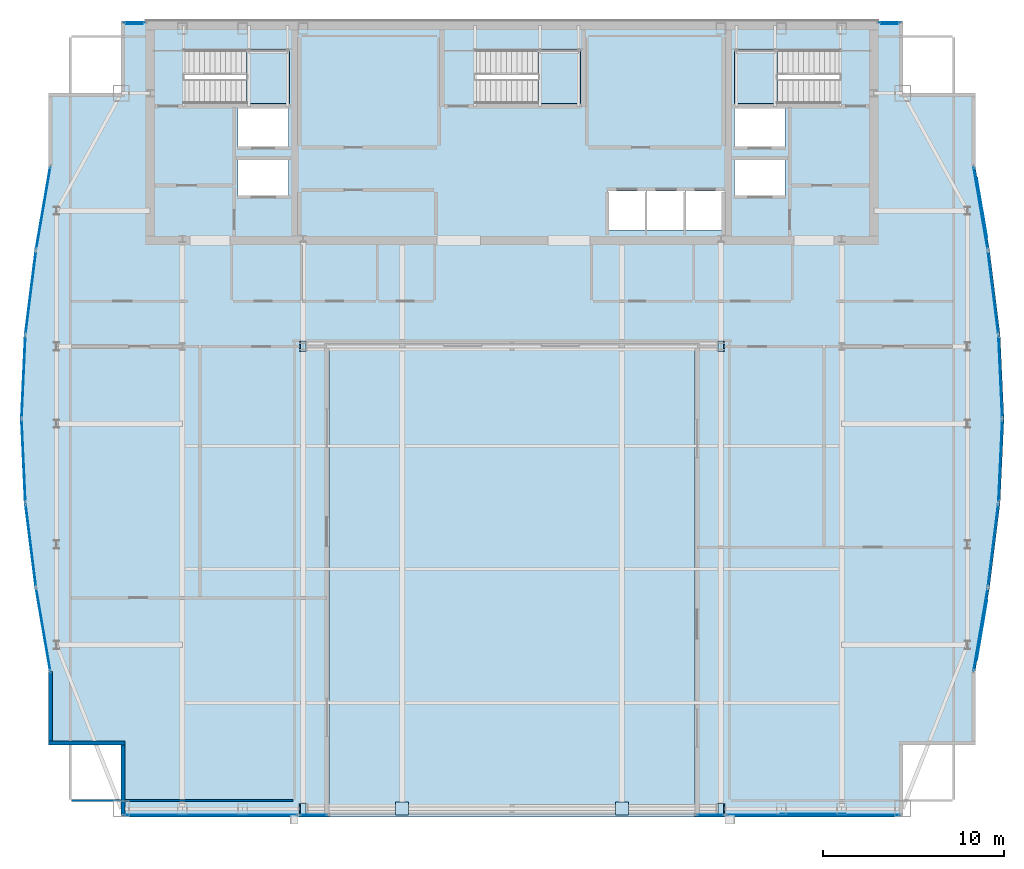
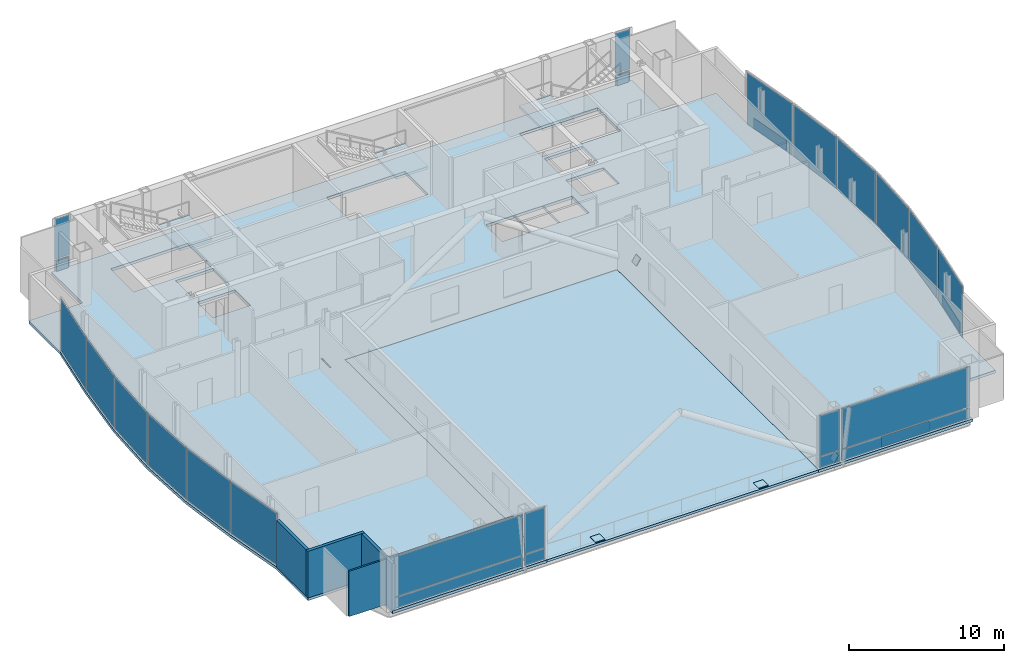
# One storey, part 21 of 27: 35 plates, 5 slabs, 4 walls, 21 elements without a shape of their own.
"""IFC4 building model written with IfcOpenShell, lengths in metres."""

from ifc_helpers import new_model, si_unit, direction, frame, frame_2d, origin, origin_2d, place, context, subcontext, project, spatial, polyline, rectangle, outline, extrude, material, layer, layer_set, type_object, element, aggregate, save


model = new_model("IFC4")

# Units and contexts
model_context = context("Model", 3, precision=1e-05, world=origin(), true_north=direction((0.0, 1.0)))
body_context = subcontext(model_context, "Body", "Model", "MODEL_VIEW")
ifc_project = project(units=[si_unit("LENGTHUNIT", "METRE"), si_unit("AREAUNIT", "SQUARE_METRE"), si_unit("VOLUMEUNIT", "CUBIC_METRE"), si_unit("PLANEANGLEUNIT", "RADIAN"), si_unit("MASSUNIT", "GRAM", prefix="KILO")], contexts=[model_context])

# Site, building, storey
site_placement = place(None, origin())
site = spatial("IfcSite", under=ifc_project, at=site_placement, CompositionType="ELEMENT")
building_placement = place(site_placement, origin())
building = spatial("IfcBuilding", under=site, at=building_placement, Name="Khoronbel Lancet Exchange", CompositionType="ELEMENT")
storey_placement = place(building_placement, frame((0.0, 0.0, 305.800048828125)))
storey = spatial("IfcBuildingStorey", under=building, at=storey_placement, Name="L79", CompositionType="ELEMENT", Elevation=305.800048828125)

# Curtain wall, plate
ifc_material_1 = material(Name="Low-E Solar Control Insulating Glass", Category="glass")
curtain_wall_type_1 = type_object("IfcCurtainWallType", Name="CW-4", PredefinedType="NOTDEFINED", material=ifc_material_1)
curtain_wall_1_placement = place(storey_placement, origin())
curtain_wall_1 = element("IfcCurtainWall", 1, at=curtain_wall_1_placement, inside=storey, type_object=curtain_wall_type_1, Name="Unitised curtain wall CW-L79-E05", PredefinedType="NOTDEFINED")
ifc_material_2 = material(Name="Bronze-Anodised Aluminium 6063-T6", Category="aluminium")
ifc_layer_1 = layer(ifc_material_2, 0.050048828125, Name="Bronze-Anodised Aluminium 6063-T6")
ifc_layer_set_1 = layer_set([ifc_layer_1], Name="Bronze-Anodised Aluminium 6063-T6")
plate_type_1 = type_object("IfcPlateType", Name="PLT-CSP1", PredefinedType="SHEET", material=ifc_layer_set_1)
plate_1_placement = place(storey_placement, frame((9.846435546875, 24.71044921875, 0.0849609375), z_axis=(0.0, 0.0, 1.0), x_axis=(-0.124508934127, 0.992218486687, 0.0)))
plate_1 = element("IfcPlate", 2, at=plate_1_placement, type_object=plate_type_1, Name="CW4 panel 1.1", PredefinedType="CURTAIN_PANEL", context=body_context, shape_type="SweptSolid", body=[
    extrude(rectangle(XDim=4.547607421875, YDim=0.0380859375, at=origin_2d()), origin(), (0.0, 0.0, 1.0), 4.070068359375),
])
aggregate(curtain_wall_1, [plate_1])

curtain_wall_2_placement = place(storey_placement, origin())
curtain_wall_2 = element("IfcCurtainWall", 3, at=curtain_wall_2_placement, inside=storey, type_object=curtain_wall_type_1, Name="Unitised curtain wall CW-L79-E06", PredefinedType="NOTDEFINED")
plate_2_placement = place(storey_placement, frame((9.447021484375, 29.37060546875, 0.0849609375), z_axis=(0.0, 0.0, 1.0), x_axis=(-0.045884225704, 0.998946764263, 0.0)))
plate_2 = element("IfcPlate", 4, at=plate_2_placement, type_object=plate_type_1, Name="CW4 panel 1.1", PredefinedType="CURTAIN_PANEL", context=body_context, shape_type="SweptSolid", body=[
    extrude(rectangle(XDim=4.513916015625, YDim=0.0380859375, at=origin_2d()), origin(), (0.0, 0.0, 1.0), 4.070068359375),
])
aggregate(curtain_wall_2, [plate_2])

curtain_wall_3_placement = place(storey_placement, origin())
curtain_wall_3 = element("IfcCurtainWall", 5, at=curtain_wall_3_placement, inside=storey, type_object=curtain_wall_type_1, Name="Unitised curtain wall CW-L79-E07", PredefinedType="NOTDEFINED")
plate_3_placement = place(storey_placement, frame((9.447021484375, 34.029541015625, 0.0849609375), z_axis=(0.0, 0.0, 1.0), x_axis=(0.045884225704, 0.998946764263, 0.0)))
plate_3 = element("IfcPlate", 6, at=plate_3_placement, type_object=plate_type_1, Name="CW4 panel 1.1", PredefinedType="CURTAIN_PANEL", context=body_context, shape_type="SweptSolid", body=[
    extrude(rectangle(XDim=4.513916015625, YDim=0.0380859375, at=origin_2d()), origin(), (0.0, 0.0, 1.0), 4.070068359375),
])
aggregate(curtain_wall_3, [plate_3])

curtain_wall_4_placement = place(storey_placement, origin())
curtain_wall_4 = element("IfcCurtainWall", 7, at=curtain_wall_4_placement, inside=storey, type_object=curtain_wall_type_1, Name="Unitised curtain wall CW-L79-E08", PredefinedType="NOTDEFINED")
plate_4_placement = place(storey_placement, frame((9.846435546875, 38.689453125, 0.0849609375), z_axis=(0.0, 0.0, 1.0), x_axis=(0.124508934127, 0.992218486687, 0.0)))
plate_4 = element("IfcPlate", 8, at=plate_4_placement, type_object=plate_type_1, Name="CW4 panel 1.1", PredefinedType="CURTAIN_PANEL", context=body_context, shape_type="SweptSolid", body=[
    extrude(rectangle(XDim=4.547607421875, YDim=0.0380859375, at=origin_2d()), origin(), (0.0, 0.0, 1.0), 4.070068359375),
])
aggregate(curtain_wall_4, [plate_4])

curtain_wall_type_2 = type_object("IfcCurtainWallType", Name="CW-3", PredefinedType="NOTDEFINED", material=ifc_material_1)
curtain_wall_5_placement = place(storey_placement, origin())
curtain_wall_5 = element("IfcCurtainWall", 9, at=curtain_wall_5_placement, inside=storey, type_object=curtain_wall_type_2, Name="Unitised curtain wall CW-L79-NWFLK", PredefinedType="NOTDEFINED")
plate_5_placement = place(storey_placement, frame((15.580078125, 53.550048828125, 0.0498046875), z_axis=(0.0, 0.0, 1.0), x_axis=(-1.0, 0.0, 0.0)))
plate_5 = element("IfcPlate", 10, at=plate_5_placement, type_object=plate_type_1, Name="Insulated bronze spandrel cassette CW-L79-NWFLK", PredefinedType="SHEET", context=body_context, shape_type="SweptSolid", body=[
    extrude(rectangle(XDim=0.89599609375, YDim=0.050048828125, at=origin_2d()), origin(), (0.0, 0.0, 1.0), 0.800048828125),
])

curtain_wall_6_placement = place(storey_placement, origin())
curtain_wall_6 = element("IfcCurtainWall", 11, at=curtain_wall_6_placement, inside=storey, type_object=curtain_wall_type_2, Name="Unitised curtain wall CW-L79-NEFLK", PredefinedType="NOTDEFINED")
plate_6_placement = place(storey_placement, frame((57.320068359375, 53.550048828125, 0.0498046875), z_axis=(0.0, 0.0, 1.0), x_axis=(-1.0, 0.0, 0.0)))
plate_6 = element("IfcPlate", 12, at=plate_6_placement, type_object=plate_type_1, Name="Insulated bronze spandrel cassette CW-L79-NEFLK", PredefinedType="SHEET", context=body_context, shape_type="SweptSolid", body=[
    extrude(rectangle(XDim=0.89599609375, YDim=0.050048828125, at=origin_2d()), origin(), (0.0, 0.0, 1.0), 0.800048828125),
])

curtain_wall_7_placement = place(storey_placement, origin())
curtain_wall_7 = element("IfcCurtainWall", 13, at=curtain_wall_7_placement, inside=storey, type_object=curtain_wall_type_1, Name="Unitised curtain wall CW-L79-E17", PredefinedType="NOTDEFINED")
plate_7_placement = place(storey_placement, frame((62.419677734375, 43.3662109375, 0.0498046875), z_axis=(0.0, 0.0, 1.0), x_axis=(0.168974354443, -0.985620448013, 0.0)))
plate_7 = element("IfcPlate", 14, at=plate_7_placement, type_object=plate_type_1, Name="Insulated bronze spandrel cassette CW-L79-E17", PredefinedType="SHEET", context=body_context, shape_type="SweptSolid", body=[
    extrude(rectangle(XDim=3.318359375, YDim=0.050048828125, at=origin_2d()), origin(), (0.0, 0.0, 1.0), 0.800048828125),
])

curtain_wall_8_placement = place(storey_placement, origin())
curtain_wall_8 = element("IfcCurtainWall", 15, at=curtain_wall_8_placement, inside=storey, type_object=curtain_wall_type_1, Name="Unitised curtain wall CW-L79-E18", PredefinedType="NOTDEFINED")
plate_8_placement = place(storey_placement, frame((63.053466796875, 38.689453125, 0.0849609375), z_axis=(0.0, 0.0, 1.0), x_axis=(0.124508934127, -0.992218486687, 0.0)))
plate_8 = element("IfcPlate", 16, at=plate_8_placement, type_object=plate_type_1, Name="CW4 panel 1.1", PredefinedType="CURTAIN_PANEL", context=body_context, shape_type="SweptSolid", body=[
    extrude(rectangle(XDim=4.547607421875, YDim=0.0380859375, at=origin_2d()), origin(), (0.0, 0.0, 1.0), 4.070068359375),
])
aggregate(curtain_wall_8, [plate_8])

curtain_wall_9_placement = place(storey_placement, origin())
curtain_wall_9 = element("IfcCurtainWall", 17, at=curtain_wall_9_placement, inside=storey, type_object=curtain_wall_type_1, Name="Unitised curtain wall CW-L79-E19", PredefinedType="NOTDEFINED")
plate_9_placement = place(storey_placement, frame((63.452880859375, 34.029541015625, 0.0849609375), z_axis=(0.0, 0.0, 1.0), x_axis=(0.045884225704, -0.998946764263, 0.0)))
plate_9 = element("IfcPlate", 18, at=plate_9_placement, type_object=plate_type_1, Name="CW4 panel 1.1", PredefinedType="CURTAIN_PANEL", context=body_context, shape_type="SweptSolid", body=[
    extrude(rectangle(XDim=4.513916015625, YDim=0.0380859375, at=origin_2d()), origin(), (0.0, 0.0, 1.0), 4.070068359375),
])
aggregate(curtain_wall_9, [plate_9])

curtain_wall_10_placement = place(storey_placement, origin())
curtain_wall_10 = element("IfcCurtainWall", 19, at=curtain_wall_10_placement, inside=storey, type_object=curtain_wall_type_1, Name="Unitised curtain wall CW-L79-E20", PredefinedType="NOTDEFINED")
plate_10_placement = place(storey_placement, frame((63.452880859375, 29.37060546875, 0.0849609375), z_axis=(0.0, 0.0, 1.0), x_axis=(-0.045884225704, -0.998946764263, 0.0)))
plate_10 = element("IfcPlate", 20, at=plate_10_placement, type_object=plate_type_1, Name="CW4 panel 1.1", PredefinedType="CURTAIN_PANEL", context=body_context, shape_type="SweptSolid", body=[
    extrude(rectangle(XDim=4.513916015625, YDim=0.0380859375, at=origin_2d()), origin(), (0.0, 0.0, 1.0), 4.070068359375),
])
aggregate(curtain_wall_10, [plate_10])

curtain_wall_11_placement = place(storey_placement, origin())
curtain_wall_11 = element("IfcCurtainWall", 21, at=curtain_wall_11_placement, inside=storey, type_object=curtain_wall_type_1, Name="Unitised curtain wall CW-L79-E21", PredefinedType="NOTDEFINED")
plate_11_placement = place(storey_placement, frame((63.053466796875, 24.71044921875, 0.0849609375), z_axis=(0.0, 0.0, 1.0), x_axis=(-0.124508934127, -0.992218486687, 0.0)))
plate_11 = element("IfcPlate", 22, at=plate_11_placement, type_object=plate_type_1, Name="CW4 panel 1.1", PredefinedType="CURTAIN_PANEL", context=body_context, shape_type="SweptSolid", body=[
    extrude(rectangle(XDim=4.547607421875, YDim=0.0380859375, at=origin_2d()), origin(), (0.0, 0.0, 1.0), 4.070068359375),
])
aggregate(curtain_wall_11, [plate_11])

curtain_wall_12_placement = place(storey_placement, origin())
curtain_wall_12 = element("IfcCurtainWall", 23, at=curtain_wall_12_placement, inside=storey, type_object=curtain_wall_type_1, Name="Unitised curtain wall CW-L79-E22", PredefinedType="NOTDEFINED")
plate_12_placement = place(storey_placement, frame((62.419677734375, 20.03369140625, 0.0498046875), z_axis=(0.0, 0.0, 1.0), x_axis=(-0.168974354443, -0.985620448013, 0.0)))
plate_12 = element("IfcPlate", 24, at=plate_12_placement, type_object=plate_type_1, Name="Insulated bronze spandrel cassette CW-L79-E22", PredefinedType="SHEET", context=body_context, shape_type="SweptSolid", body=[
    extrude(rectangle(XDim=3.318359375, YDim=0.050048828125, at=origin_2d()), origin(), (0.0, 0.0, 1.0), 0.800048828125),
])

# Curtain wall, plates
curtain_wall_13_placement = place(storey_placement, origin())
curtain_wall_13 = element("IfcCurtainWall", 25, at=curtain_wall_13_placement, inside=storey, type_object=curtain_wall_type_2, Name="Unitised curtain wall CW-L79-SW-PIER", PredefinedType="NOTDEFINED")
plate_13_placement = place(storey_placement, frame((25.487548828125, 9.7900390625, 0.0849609375), z_axis=(0.0, 0.0, 1.0), x_axis=(1.0, 0.0, 0.0)))
plate_13 = element("IfcPlate", 26, at=plate_13_placement, type_object=plate_type_1, Name="CW3 panel 1.1", PredefinedType="CURTAIN_PANEL", context=body_context, shape_type="SweptSolid", body=[
    extrude(rectangle(XDim=1.5048828125, YDim=0.0380859375, at=origin_2d()), origin(), (0.0, 0.0, 1.0), 0.822509765625),
])
plate_14_placement = place(storey_placement, frame((25.487548828125, 9.7900390625, 0.992431640625), z_axis=(0.0, 0.0, 1.0), x_axis=(1.0, 0.0, 0.0)))
plate_14 = element("IfcPlate", 27, at=plate_14_placement, type_object=plate_type_1, Name="CW3 panel 1.2", PredefinedType="CURTAIN_PANEL", context=body_context, shape_type="SweptSolid", body=[
    extrude(rectangle(XDim=1.5048828125, YDim=0.0380859375, at=origin_2d()), origin(), (0.0, 0.0, 1.0), 3.16259765625),
])
aggregate(curtain_wall_13, [plate_13, plate_14])

curtain_wall_14_placement = place(storey_placement, origin())
curtain_wall_14 = element("IfcCurtainWall", 28, at=curtain_wall_14_placement, inside=storey, type_object=curtain_wall_type_2, Name="Unitised curtain wall CW-L79-SE-PIER", PredefinedType="NOTDEFINED")
plate_15_placement = place(storey_placement, frame((47.41259765625, 9.7900390625, 0.0849609375), z_axis=(0.0, 0.0, 1.0), x_axis=(1.0, 0.0, 0.0)))
plate_15 = element("IfcPlate", 29, at=plate_15_placement, type_object=plate_type_1, Name="CW3 panel 1.1", PredefinedType="CURTAIN_PANEL", context=body_context, shape_type="SweptSolid", body=[
    extrude(rectangle(XDim=1.5048828125, YDim=0.0380859375, at=origin_2d()), origin(), (0.0, 0.0, 1.0), 0.822509765625),
])
plate_16_placement = place(storey_placement, frame((47.41259765625, 9.7900390625, 0.992431640625), z_axis=(0.0, 0.0, 1.0), x_axis=(1.0, 0.0, 0.0)))
plate_16 = element("IfcPlate", 30, at=plate_16_placement, type_object=plate_type_1, Name="CW3 panel 1.2", PredefinedType="CURTAIN_PANEL", context=body_context, shape_type="SweptSolid", body=[
    extrude(rectangle(XDim=1.5048828125, YDim=0.0380859375, at=origin_2d()), origin(), (0.0, 0.0, 1.0), 3.16259765625),
])
aggregate(curtain_wall_14, [plate_15, plate_16])

# Curtain wall, plate
curtain_wall_15_placement = place(storey_placement, origin())
curtain_wall_15 = element("IfcCurtainWall", 31, at=curtain_wall_15_placement, inside=storey, type_object=curtain_wall_type_2, Name="Unitised curtain wall CW-L79-SE-WING", PredefinedType="NOTDEFINED")
plate_17_placement = place(storey_placement, frame((53.10498046875, 9.85009765625, 0.0498046875), z_axis=(0.0, 0.0, 1.0), x_axis=(1.0, 0.0, 0.0)))
plate_17 = element("IfcPlate", 32, at=plate_17_placement, type_object=plate_type_1, Name="Insulated bronze spandrel cassette CW-L79-SE-WING", PredefinedType="SHEET", context=body_context, shape_type="SweptSolid", body=[
    extrude(rectangle(XDim=3.60009765625, YDim=0.050048828125, at=origin_2d()), origin(), (0.0, 0.0, 1.0), 0.800048828125),
])

# Plate
ifc_layer_2 = layer(ifc_material_1, 0.035888671875, Name="Low-E Solar Control Insulating Glass")
ifc_layer_set_2 = layer_set([ifc_layer_2], Name="Low-E Solar Control Insulating Glass")
plate_type_2 = type_object("IfcPlateType", Name="PLT-CWP1", PredefinedType="CURTAIN_PANEL", material=ifc_layer_set_2)
plate_18_placement = place(storey_placement, frame((15.580078125, 53.610107421875, 0.0849609375), z_axis=(0.0, 0.0, 1.0), x_axis=(-1.0, 0.0, 0.0)))
plate_18 = element("IfcPlate", 33, at=plate_18_placement, type_object=plate_type_2, Name="CW3 panel 1.1", PredefinedType="CURTAIN_PANEL", context=body_context, shape_type="SweptSolid", body=[
    extrude(rectangle(XDim=1.110107421875, YDim=0.0380859375, at=origin_2d()), origin(), (0.0, 0.0, 1.0), 0.822509765625),
])

plate_19_placement = place(storey_placement, frame((15.580078125, 53.610107421875, 0.992431640625), z_axis=(0.0, 0.0, 1.0), x_axis=(-1.0, 0.0, 0.0)))
plate_19 = element("IfcPlate", 34, at=plate_19_placement, type_object=plate_type_2, Name="CW3 panel 1.2", PredefinedType="CURTAIN_PANEL", context=body_context, shape_type="SweptSolid", body=[
    extrude(rectangle(XDim=1.110107421875, YDim=0.0380859375, at=origin_2d()), origin(), (0.0, 0.0, 1.0), 3.16259765625),
])

aggregate(curtain_wall_5, [plate_18, plate_19, plate_5])

plate_20_placement = place(storey_placement, frame((57.320068359375, 53.610107421875, 0.0849609375), z_axis=(0.0, 0.0, 1.0), x_axis=(-1.0, 0.0, 0.0)))
plate_20 = element("IfcPlate", 35, at=plate_20_placement, type_object=plate_type_2, Name="CW3 panel 1.1", PredefinedType="CURTAIN_PANEL", context=body_context, shape_type="SweptSolid", body=[
    extrude(rectangle(XDim=1.110107421875, YDim=0.0380859375, at=origin_2d()), origin(), (0.0, 0.0, 1.0), 0.822509765625),
])

plate_21_placement = place(storey_placement, frame((57.320068359375, 53.610107421875, 0.992431640625), z_axis=(0.0, 0.0, 1.0), x_axis=(-1.0, 0.0, 0.0)))
plate_21 = element("IfcPlate", 36, at=plate_21_placement, type_object=plate_type_2, Name="CW3 panel 1.2", PredefinedType="CURTAIN_PANEL", context=body_context, shape_type="SweptSolid", body=[
    extrude(rectangle(XDim=1.110107421875, YDim=0.0380859375, at=origin_2d()), origin(), (0.0, 0.0, 1.0), 3.16259765625),
])

aggregate(curtain_wall_6, [plate_20, plate_21, plate_6])

# Curtain wall, plates
curtain_wall_16_placement = place(storey_placement, origin())
curtain_wall_16 = element("IfcCurtainWall", 37, at=curtain_wall_16_placement, inside=storey, type_object=curtain_wall_type_2, Name="Unitised curtain wall CW-L79-SW-WING", PredefinedType="NOTDEFINED")
plate_22_placement = place(storey_placement, frame((19.794921875, 9.7900390625, 0.0849609375), z_axis=(0.0, 0.0, 1.0), x_axis=(1.0, 0.0, 0.0)))
plate_22 = element("IfcPlate", 38, at=plate_22_placement, type_object=plate_type_2, Name="CW3 panel 1.1", PredefinedType="CURTAIN_PANEL", context=body_context, shape_type="SweptSolid", body=[
    extrude(rectangle(XDim=9.5400390625, YDim=0.0380859375, at=origin_2d()), origin(), (0.0, 0.0, 1.0), 0.822509765625),
])
plate_23_placement = place(storey_placement, frame((19.794921875, 9.7900390625, 0.992431640625), z_axis=(0.0, 0.0, 1.0), x_axis=(1.0, 0.0, 0.0)))
plate_23 = element("IfcPlate", 39, at=plate_23_placement, type_object=plate_type_2, Name="CW3 panel 1.2", PredefinedType="CURTAIN_PANEL", context=body_context, shape_type="SweptSolid", body=[
    extrude(rectangle(XDim=9.5400390625, YDim=0.0380859375, at=origin_2d()), origin(), (0.0, 0.0, 1.0), 3.16259765625),
])
aggregate(curtain_wall_16, [plate_22, plate_23])

# Plate
plate_24_placement = place(storey_placement, frame((53.10498046875, 9.7900390625, 0.0849609375), z_axis=(0.0, 0.0, 1.0), x_axis=(1.0, 0.0, 0.0)))
plate_24 = element("IfcPlate", 40, at=plate_24_placement, type_object=plate_type_2, Name="CW3 panel 1.1", PredefinedType="CURTAIN_PANEL", context=body_context, shape_type="SweptSolid", body=[
    extrude(rectangle(XDim=9.5400390625, YDim=0.0380859375, at=origin_2d()), origin(), (0.0, 0.0, 1.0), 0.822509765625),
])

plate_25_placement = place(storey_placement, frame((53.10498046875, 9.7900390625, 0.992431640625), z_axis=(0.0, 0.0, 1.0), x_axis=(1.0, 0.0, 0.0)))
plate_25 = element("IfcPlate", 41, at=plate_25_placement, type_object=plate_type_2, Name="CW3 panel 1.2", PredefinedType="CURTAIN_PANEL", context=body_context, shape_type="SweptSolid", body=[
    extrude(rectangle(XDim=9.5400390625, YDim=0.0380859375, at=origin_2d()), origin(), (0.0, 0.0, 1.0), 3.16259765625),
])

aggregate(curtain_wall_15, [plate_24, plate_25, plate_17])

# Curtain wall, plate
curtain_wall_17_placement = place(storey_placement, origin())
curtain_wall_17 = element("IfcCurtainWall", 42, at=curtain_wall_17_placement, inside=storey, type_object=curtain_wall_type_1, Name="Unitised curtain wall CW-L79-E04", PredefinedType="NOTDEFINED")
ifc_material_3 = material(Name="Ceramic-Fritted Laminated Insulating Glass", Category="glass")
ifc_layer_3 = layer(ifc_material_3, 0.0419921875, Name="Ceramic-Fritted Laminated Insulating Glass")
ifc_layer_set_3 = layer_set([ifc_layer_3], Name="Ceramic-Fritted Laminated Insulating Glass")
plate_type_3 = type_object("IfcPlateType", Name="PLT-CWP2", PredefinedType="CURTAIN_PANEL", material=ifc_layer_set_3)
plate_26_placement = place(storey_placement, frame((10.53955078125, 20.043701171875, 0.0849609375), z_axis=(0.0, 0.0, 1.0), x_axis=(-0.168974354443, 0.985620448013, 0.0)))
plate_26 = element("IfcPlate", 43, at=plate_26_placement, type_object=plate_type_3, Name="CW4 panel 1.1", PredefinedType="CURTAIN_PANEL", context=body_context, shape_type="SweptSolid", body=[
    extrude(rectangle(XDim=4.59033203125, YDim=0.0380859375, at=origin_2d()), origin(), (0.0, 0.0, 1.0), 4.070068359375),
])
aggregate(curtain_wall_17, [plate_26])

curtain_wall_18_placement = place(storey_placement, origin())
curtain_wall_18 = element("IfcCurtainWall", 44, at=curtain_wall_18_placement, inside=storey, type_object=curtain_wall_type_1, Name="Unitised curtain wall CW-L79-E09", PredefinedType="NOTDEFINED")
plate_27_placement = place(storey_placement, frame((10.53955078125, 43.356201171875, 0.0849609375), z_axis=(0.0, 0.0, 1.0), x_axis=(0.168974354443, 0.985620448013, 0.0)))
plate_27 = element("IfcPlate", 45, at=plate_27_placement, type_object=plate_type_3, Name="CW4 panel 1.1", PredefinedType="CURTAIN_PANEL", context=body_context, shape_type="SweptSolid", body=[
    extrude(rectangle(XDim=4.59033203125, YDim=0.0380859375, at=origin_2d()), origin(), (0.0, 0.0, 1.0), 4.070068359375),
])
aggregate(curtain_wall_18, [plate_27])

# Plate
plate_28_placement = place(storey_placement, frame((62.360595703125, 43.356201171875, 0.0849609375), z_axis=(0.0, 0.0, 1.0), x_axis=(0.168974354443, -0.985620448013, 0.0)))
plate_28 = element("IfcPlate", 46, at=plate_28_placement, type_object=plate_type_3, Name="CW4 panel 1.1", PredefinedType="CURTAIN_PANEL", context=body_context, shape_type="SweptSolid", body=[
    extrude(rectangle(XDim=4.59033203125, YDim=0.0380859375, at=origin_2d()), origin(), (0.0, 0.0, 1.0), 4.070068359375),
])

aggregate(curtain_wall_7, [plate_28, plate_7])

plate_29_placement = place(storey_placement, frame((62.360595703125, 20.043701171875, 0.0849609375), z_axis=(0.0, 0.0, 1.0), x_axis=(-0.168974354443, -0.985620448013, 0.0)))
plate_29 = element("IfcPlate", 47, at=plate_29_placement, type_object=plate_type_3, Name="CW4 panel 1.1", PredefinedType="CURTAIN_PANEL", context=body_context, shape_type="SweptSolid", body=[
    extrude(rectangle(XDim=4.59033203125, YDim=0.0380859375, at=origin_2d()), origin(), (0.0, 0.0, 1.0), 4.070068359375),
])

aggregate(curtain_wall_12, [plate_29, plate_12])

# Plates
ifc_material_4 = material(Name="Steel S460", Category="steel")
ifc_layer_4 = layer(ifc_material_4, 0.044921875, Name="Steel S460")
ifc_layer_set_4 = layer_set([ifc_layer_4], Name="Steel S460")
plate_type_4 = type_object("IfcPlateType", Name="PLT-ECP1", PredefinedType="USERDEFINED", material=ifc_layer_set_4)
plate_30_placement = place(storey_placement, frame((0.0, 0.0, -0.011962890625)))
element("IfcPlate", 48, at=plate_30_placement, inside=storey, type_object=plate_type_4, Name="Hollow end cap plate PLT-CAP-COL-L78-SC-C1-TOP", ObjectType="STIFFENER_PLATE", PredefinedType="USERDEFINED", context=body_context, shape_type="SweptSolid", body=[
    extrude(outline(polyline([(30.02001953125, 9.794921875), (30.72998046875, 9.794921875), (30.72998046875, 10.5048828125), (30.02001953125, 10.5048828125), (30.02001953125, 9.794921875)])), origin(), (0.0, 0.0, 1.0), 0.044921875),
])
plate_31_placement = place(storey_placement, frame((0.0, 0.0, -0.011962890625)))
element("IfcPlate", 49, at=plate_31_placement, inside=storey, type_object=plate_type_4, Name="Hollow end cap plate PLT-CAP-COL-L78-SC-C2-TOP", ObjectType="STIFFENER_PLATE", PredefinedType="USERDEFINED", context=body_context, shape_type="SweptSolid", body=[
    extrude(outline(polyline([(42.169921875, 9.794921875), (42.8798828125, 9.794921875), (42.8798828125, 10.5048828125), (42.169921875, 10.5048828125), (42.169921875, 9.794921875)])), origin(), (0.0, 0.0, 1.0), 0.044921875),
])
plate_32_placement = place(storey_placement, frame((25.0693359375, 9.860107421875, 0.01416015625), z_axis=(0.835595064207, 0.0, 0.549345873446), x_axis=(0.0, 1.0, 0.0)))
element("IfcPlate", 50, at=plate_32_placement, inside=storey, type_object=plate_type_4, Name="Hollow end cap plate PLT-CAP-MEM-L79-PORTAL-STR-S-W-0", ObjectType="STIFFENER_PLATE", PredefinedType="USERDEFINED", context=body_context, shape_type="SweptSolid", body=[
    extrude(outline(polyline([(0.0, 0.0), (0.579833984375, 0.0), (0.579833984375, 0.580078125), (0.0, 0.580078125), (0.0, 0.0)])), origin(), (0.0, 0.0, -1.0), 0.044921875),
])
plate_33_placement = place(storey_placement, frame((47.830810546875, 10.43994140625, 0.01416015625), z_axis=(-0.835788288301, 0.0, 0.549051852869), x_axis=(0.0, -1.0, 0.0)))
element("IfcPlate", 51, at=plate_33_placement, inside=storey, type_object=plate_type_4, Name="Hollow end cap plate PLT-CAP-MEM-L79-PORTAL-STR-S-E-0", ObjectType="STIFFENER_PLATE", PredefinedType="USERDEFINED", context=body_context, shape_type="SweptSolid", body=[
    extrude(outline(polyline([(0.0, 0.0), (0.579833984375, 0.0), (0.579833984375, 0.579833984375), (0.0, 0.579833984375), (0.0, 0.0)])), origin(), (0.0, 0.0, -1.0), 0.044921875),
])
plate_34_placement = place(storey_placement, frame((25.0693359375, 35.409912109375, 0.01416015625), z_axis=(0.835595064207, 0.0, 0.549345873446), x_axis=(0.0, 1.0, 0.0)))
element("IfcPlate", 52, at=plate_34_placement, inside=storey, type_object=plate_type_4, Name="Hollow end cap plate PLT-CAP-MEM-L79-PORTAL-STR-N-W-0", ObjectType="STIFFENER_PLATE", PredefinedType="USERDEFINED", context=body_context, shape_type="SweptSolid", body=[
    extrude(outline(polyline([(0.0, 0.0), (0.580078125, 0.0), (0.580078125, 0.580078125), (0.0, 0.580078125), (0.0, 0.0)])), origin(), (0.0, 0.0, -1.0), 0.044921875),
])
plate_35_placement = place(storey_placement, frame((47.830810546875, 35.989990234375, 0.01416015625), z_axis=(-0.835788288301, 0.0, 0.549051852869), x_axis=(0.0, -1.0, 0.0)))
element("IfcPlate", 53, at=plate_35_placement, inside=storey, type_object=plate_type_4, Name="Hollow end cap plate PLT-CAP-MEM-L79-PORTAL-STR-N-E-0", ObjectType="STIFFENER_PLATE", PredefinedType="USERDEFINED", context=body_context, shape_type="SweptSolid", body=[
    extrude(outline(polyline([(0.0, 0.0), (0.580078125, 0.0), (0.580078125, 0.579833984375), (0.0, 0.579833984375), (0.0, 0.0)])), origin(), (0.0, 0.0, -1.0), 0.044921875),
])

# Slab
ifc_material_5 = material(Name="Concrete C40/50", Category="concrete")
ifc_layer_5 = layer(ifc_material_5, 0.219970703125, Name="Concrete C40/50")
ifc_layer_set_5 = layer_set([ifc_layer_5], Name="Concrete C40/50")
slab_type_1 = type_object("IfcSlabType", Name="SL-FL220", PredefinedType="FLOOR", material=ifc_layer_set_5)
slab_1_placement = place(storey_placement, frame((0.0, 0.0, -0.219970703125)))
element("IfcSlab", 54, at=slab_1_placement, inside=storey, type_object=slab_type_1, Name="Level L79 interior composite floor slab", PredefinedType="FLOOR", context=body_context, shape_type="SweptSolid", body=[
    extrude(outline(polyline([(14.85009765625, 9.699951171875), (14.85009765625, 13.699951171875), (10.85009765625, 13.699951171875), (10.85009765625, 17.699951171875), (10.050048828125, 22.36669921875), (9.46435546875, 27.033203125), (9.25, 31.699951171875), (9.46435546875, 36.36669921875), (10.050048828125, 41.033203125), (10.85009765625, 45.699951171875), (10.85009765625, 49.699951171875), (14.85009765625, 49.699951171875), (14.85009765625, 53.699951171875), (58.050048828125, 53.699951171875), (58.050048828125, 49.699951171875), (62.050048828125, 49.699951171875), (62.050048828125, 45.699951171875), (62.85009765625, 41.033203125), (63.435546875, 36.36669921875), (63.64990234375, 31.699951171875), (63.435546875, 27.033203125), (62.85009765625, 22.36669921875), (62.050048828125, 17.699951171875), (62.050048828125, 13.699951171875), (58.050048828125, 13.699951171875), (58.050048828125, 9.699951171875), (46.574951171875, 9.699951171875), (46.574951171875, 35.699951171875), (26.324951171875, 35.699951171875), (26.324951171875, 9.699951171875), (14.85009765625, 9.699951171875)]), holes=[polyline([(18.324951171875, 49.1201171875), (24.14990234375, 49.1201171875), (24.14990234375, 52.10009765625), (18.324951171875, 52.10009765625), (18.324951171875, 49.1201171875)]), polyline([(48.75, 49.1201171875), (54.574951171875, 49.1201171875), (54.574951171875, 52.10009765625), (48.75, 52.10009765625), (48.75, 49.1201171875)]), polyline([(34.425048828125, 49.1201171875), (40.25, 49.1201171875), (40.25, 52.10009765625), (34.425048828125, 52.10009765625), (34.425048828125, 49.1201171875)]), polyline([(41.739990234375, 42.14990234375), (43.8798828125, 42.14990234375), (43.8798828125, 44.300048828125), (41.739990234375, 44.300048828125), (41.739990234375, 42.14990234375)]), polyline([(43.89990234375, 42.14990234375), (46.0400390625, 42.14990234375), (46.0400390625, 44.300048828125), (43.89990234375, 44.300048828125), (43.89990234375, 42.14990234375)]), polyline([(46.06005859375, 42.14990234375), (48.199951171875, 42.14990234375), (48.199951171875, 44.300048828125), (46.06005859375, 44.300048828125), (46.06005859375, 42.14990234375)]), polyline([(21.300048828125, 46.75), (24.10009765625, 46.75), (24.10009765625, 48.85009765625), (21.300048828125, 48.85009765625), (21.300048828125, 46.75)]), polyline([(48.75, 46.75), (51.550048828125, 46.75), (51.550048828125, 48.85009765625), (48.75, 48.85009765625), (48.75, 46.75)]), polyline([(21.300048828125, 44.050048828125), (24.10009765625, 44.050048828125), (24.10009765625, 46.050048828125), (21.300048828125, 46.050048828125), (21.300048828125, 44.050048828125)]), polyline([(48.75, 44.050048828125), (51.550048828125, 44.050048828125), (51.550048828125, 46.050048828125), (48.75, 46.050048828125), (48.75, 44.050048828125)])]), origin(), (0.0, 0.0, 1.0), 0.219970703125),
])

# Stair, slab
stair_type = type_object("IfcStairType", Name="STR-CORE150", PredefinedType="HALF_TURN_STAIR", material=ifc_material_5)
stair_1_placement = place(storey_placement, origin())
stair_1 = element("IfcStair", 55, at=stair_1_placement, inside=storey, type_object=stair_type, Name="L79 Protected Exit Stair ST1", PredefinedType="HALF_TURN_STAIR")
ifc_layer_6 = layer(ifc_material_5, 0.199951171875, Name="Concrete C40/50")
ifc_layer_set_6 = layer_set([ifc_layer_6], Name="Concrete C40/50")
slab_type_2 = type_object("IfcSlabType", Name="SL-LND180", PredefinedType="LANDING", material=ifc_layer_set_6)
slab_2_placement = place(storey_placement, frame((0.0, 0.0, 2.0)))
slab_2 = element("IfcSlab", 56, at=slab_2_placement, type_object=slab_type_2, Name="ST1 landing 1", PredefinedType="LANDING", context=body_context, shape_type="SweptSolid", body=[
    extrude(outline(polyline([(21.780029296875, 49.1201171875), (24.14990234375, 49.1201171875), (24.14990234375, 52.10009765625), (21.780029296875, 52.10009765625), (21.780029296875, 49.1201171875)])), origin(), (0.0, 0.0, 1.0), 0.199951171875),
])
aggregate(stair_1, [slab_2])

stair_2_placement = place(storey_placement, origin())
stair_2 = element("IfcStair", 57, at=stair_2_placement, inside=storey, type_object=stair_type, Name="L79 Protected Exit Stair ST2", PredefinedType="HALF_TURN_STAIR")
slab_3_placement = place(storey_placement, frame((0.0, 0.0, 2.0)))
slab_3 = element("IfcSlab", 58, at=slab_3_placement, type_object=slab_type_2, Name="ST2 landing 1", PredefinedType="LANDING", context=body_context, shape_type="SweptSolid", body=[
    extrude(outline(polyline([(51.1201171875, 52.10009765625), (48.75, 52.10009765625), (48.75, 49.1201171875), (51.1201171875, 49.1201171875), (51.1201171875, 52.10009765625)])), origin(), (0.0, 0.0, 1.0), 0.199951171875),
])
aggregate(stair_2, [slab_3])

stair_3_placement = place(storey_placement, origin())
stair_3 = element("IfcStair", 59, at=stair_3_placement, inside=storey, type_object=stair_type, Name="L79 Protected Exit Stair ST3", PredefinedType="HALF_TURN_STAIR")
slab_4_placement = place(storey_placement, frame((0.0, 0.0, 2.0)))
slab_4 = element("IfcSlab", 60, at=slab_4_placement, type_object=slab_type_2, Name="ST3 landing 1", PredefinedType="LANDING", context=body_context, shape_type="SweptSolid", body=[
    extrude(outline(polyline([(37.8798828125, 49.1201171875), (40.25, 49.1201171875), (40.25, 52.10009765625), (37.8798828125, 52.10009765625), (37.8798828125, 49.1201171875)])), origin(), (0.0, 0.0, 1.0), 0.199951171875),
])
aggregate(stair_3, [slab_4])

# Slab
ifc_layer_7 = layer(ifc_material_5, 0.18994140625, Name="Concrete C40/50")
ifc_layer_set_7 = layer_set([ifc_layer_7], Name="Concrete C40/50")
slab_type_3 = type_object("IfcSlabType", Name="SL-TER180", PredefinedType="FLOOR", material=ifc_layer_set_7)
slab_5_placement = place(storey_placement, frame((0.0, 0.0, -0.18994140625)))
element("IfcSlab", 61, at=slab_5_placement, inside=storey, type_object=slab_type_3, Name="Level L79 aerodynamic wind-portal outdoor observation deck", PredefinedType="FLOOR", context=body_context, shape_type="SweptSolid", body=[
    extrude(outline(polyline([(26.324951171875, 9.699951171875), (46.574951171875, 9.699951171875), (46.574951171875, 35.699951171875), (26.324951171875, 35.699951171875), (26.324951171875, 9.699951171875)])), origin(), (0.0, 0.0, 1.0), 0.18994140625),
])

# Walls
ifc_material_6 = material(Name="Precast concrete C40/50", Category="concrete")
ifc_layer_8 = layer(ifc_material_6, 0.25, Name="Precast concrete C40/50")
ifc_layer_set_8 = layer_set([ifc_layer_8], Name="Precast concrete C40/50")
wall_type_1 = type_object("IfcWallType", Name="WL-EXT250", PredefinedType="SOLIDWALL", material=ifc_layer_set_8)
wall_1_placement = place(storey_placement, frame((14.93994140625, 9.77001953125, 0.0), z_axis=(0.0, 0.0, 1.0), x_axis=(0.0, 1.0, 0.0)))
element("IfcWall", 62, at=wall_1_placement, inside=storey, type_object=wall_type_1, Name="Level L79 notched-corner limestone pier 01", PredefinedType="SOLIDWALL", context=body_context, shape_type="SweptSolid", body=[
    extrude(rectangle(XDim=3.909912109375, YDim=0.219970703125, at=frame_2d((1.955078125, 0.0))), origin(), (0.0, 0.0, 1.0), 3.679931640625),
])
wall_2_placement = place(storey_placement, frame((15.050048828125, 13.7900390625, 0.0), z_axis=(0.0, 0.0, 1.0), x_axis=(-1.0, 0.0, 0.0)))
element("IfcWall", 63, at=wall_2_placement, inside=storey, type_object=wall_type_1, Name="Level L79 notched-corner limestone pier 02", PredefinedType="SOLIDWALL", context=body_context, shape_type="SweptSolid", body=[
    extrude(rectangle(XDim=4.219970703125, YDim=0.219970703125, at=frame_2d((2.10986328125, 0.0))), origin(), (0.0, 0.0, 1.0), 3.679931640625),
])
wall_3_placement = place(storey_placement, frame((10.93994140625, 13.89990234375, 0.0), z_axis=(0.0, 0.0, 1.0), x_axis=(0.0, 1.0, 0.0)))
element("IfcWall", 64, at=wall_3_placement, inside=storey, type_object=wall_type_1, Name="Level L79 notched-corner limestone pier 03", PredefinedType="SOLIDWALL", context=body_context, shape_type="SweptSolid", body=[
    extrude(rectangle(XDim=3.827880859375, YDim=0.219970703125, at=frame_2d((1.9140625, 0.0))), origin(), (0.0, 0.0, 1.0), 3.679931640625),
])
ifc_material_7 = material(Name="Acoustic Metal-Stud & Mineral-Wool Gypsum Partition 120 mm", Category="gypsum")
ifc_layer_9 = layer(ifc_material_7, 0.1201171875, Name="Acoustic Metal-Stud & Mineral-Wool Gypsum Partition 120 mm")
ifc_layer_set_9 = layer_set([ifc_layer_9], Name="Acoustic Metal-Stud & Mineral-Wool Gypsum Partition 120 mm")
wall_type_2 = type_object("IfcWallType", Name="WL-PRT120", PredefinedType="PARTITIONING", material=ifc_layer_set_9)
wall_4_placement = place(storey_placement, frame((12.094970703125, 10.60009765625, 0.0), z_axis=(0.0, 0.0, 1.0), x_axis=(1.0, 0.0, 0.0)))
element("IfcWall", 65, at=wall_4_placement, inside=storey, type_object=wall_type_2, Name="Level L79 interior partition PW-LIN-SW", PredefinedType="PARTITIONING", context=body_context, shape_type="SweptSolid", body=[
    extrude(rectangle(XDim=12.260009765625, YDim=0.1201171875, at=frame_2d((6.1298828125, 0.0))), origin(), (0.0, 0.0, 1.0), 3.579833984375),
])

save(model, "model.ifc")
